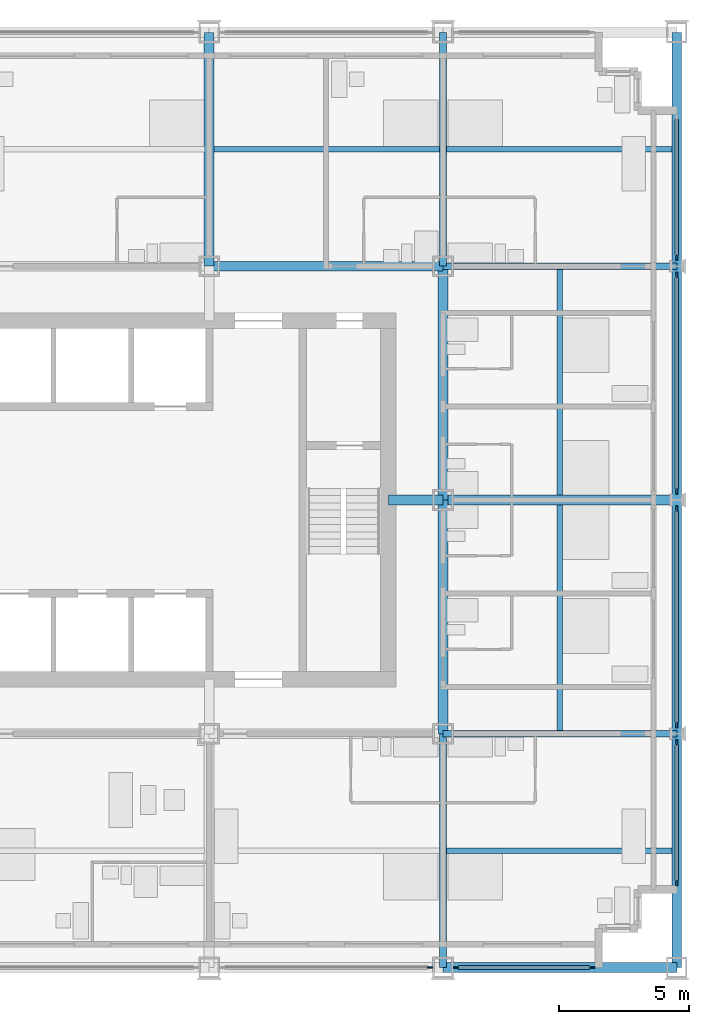
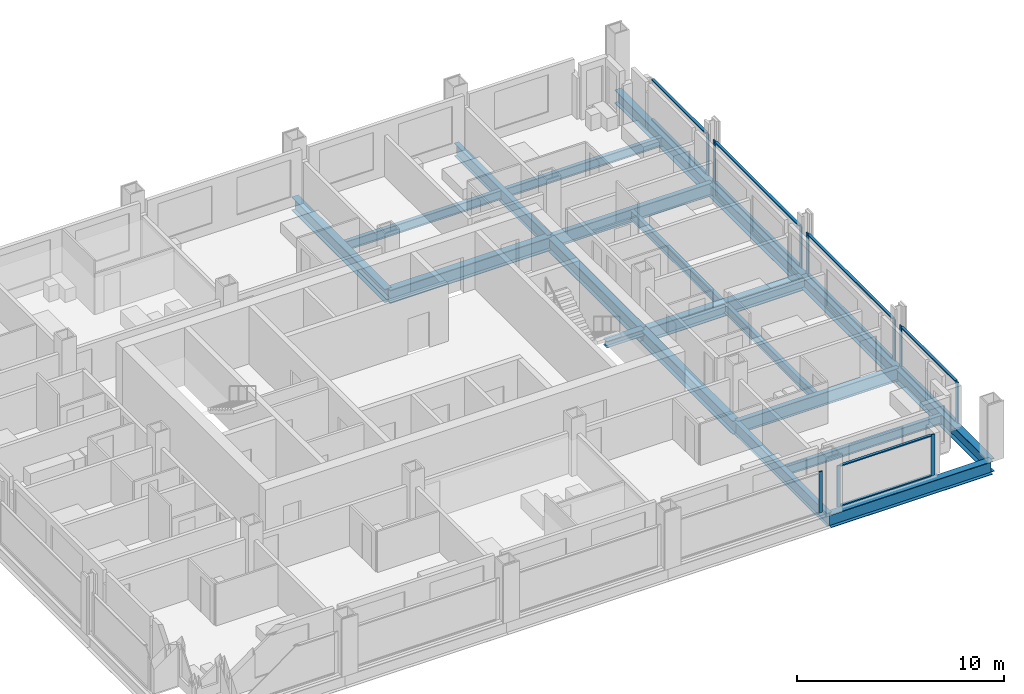
# One storey, part 5 of 16: 21 members, 19 beams, 6 elements without a shape of their own.
"""IFC4 building model written with IfcOpenShell, lengths in metres."""

from ifc_helpers import new_model, si_unit, direction, frame, origin, origin_2d, place, context, subcontext, project, spatial, rectangle, i_section, extrude, material, material_profile, profile_set, type_object, element, aggregate, save


model = new_model("IFC4")

# Units and contexts
model_context = context("Model", 3, precision=1e-05, world=origin(), true_north=direction((0.0, 1.0)))
body_context = subcontext(model_context, "Body", "Model", "MODEL_VIEW")
ifc_project = project(units=[si_unit("LENGTHUNIT", "METRE"), si_unit("AREAUNIT", "SQUARE_METRE"), si_unit("VOLUMEUNIT", "CUBIC_METRE"), si_unit("PLANEANGLEUNIT", "RADIAN"), si_unit("MASSUNIT", "GRAM", prefix="KILO")], contexts=[model_context])

# Site, building, storey
site_placement = place(None, origin())
site = spatial("IfcSite", under=ifc_project, at=site_placement, CompositionType="ELEMENT")
building_placement = place(site_placement, origin())
building = spatial("IfcBuilding", under=site, at=building_placement, Name="Loomwork Tower", CompositionType="ELEMENT")
storey_placement = place(building_placement, frame((0.0, 0.0, 114.60009765625)))
storey = spatial("IfcBuildingStorey", under=building, at=storey_placement, Name="L30", CompositionType="ELEMENT", Elevation=114.60009765625)

# Beams
ifc_material_1 = material(Name="Steel ASTM A992", Category="steel")
ifc_material_profile_1 = material_profile(ifc_material_1, i_section(OverallWidth=0.383544921875, OverallDepth=0.794921875, WebThickness=0.02099609375, FlangeThickness=0.0380859375, at=origin_2d()), Name="W30x235")
ifc_profile_set_1 = profile_set([ifc_material_profile_1], Name="Steel ASTM A992")
beam_type_1 = type_object("IfcBeamType", Name="CORE FLANK GIRDER W30x235", PredefinedType="BEAM", material=ifc_profile_set_1)
for number, where, z_axis, x_axis, name in (
    (1, (36.0, 18.0, -0.59765625), (1.0, 0.0, 0.0), (0.0, 1.0, 0.0), "Core Flank Girder F/6-F/7 L30"),
    (2, (27.0, 27.0, -0.59765625), (1.0, 0.0, 0.0), (0.0, 1.0, 0.0), "Core Flank Girder G/5-G/6 L30"),
    (3, (27.0, 27.0, -0.59765625), (0.0, 1.0, 0.0), (-1.0, 0.0, 0.0), "Core Flank Girder G/5-H/5 L30"),
    (4, (36.0, 9.0, -0.59765625), (0.0, 1.0, 0.0), (-1.0, 0.0, 0.0), "Core Flank Girder E/6-F/6 L30"),
    (5, (36.0, 18.0, -0.59765625), (0.0, 1.0, 0.0), (-1.0, 0.0, 0.0), "Core Flank Girder F/6-G/6 L30"),
):
    element("IfcBeam", number, at=place(storey_placement, frame(where, z_axis=z_axis, x_axis=x_axis)), inside=storey, type_object=beam_type_1, Name=name, PredefinedType="BEAM", context=body_context, shape_type="SweptSolid", body=[
        extrude(i_section(OverallWidth=0.383544921875, OverallDepth=0.794921875, WebThickness=0.02099609375, FlangeThickness=0.0380859375, at=origin_2d()), origin(), (0.0, 0.0, 1.0), 9.0),
    ])

# Member
ifc_material_2 = material(Name="Steel ASTM A992", Category="steel")
ifc_material_profile_2 = material_profile(ifc_material_2, i_section(OverallWidth=0.373291015625, OverallDepth=0.373291015625, WebThickness=0.016357421875, FlangeThickness=0.026123046875, at=origin_2d()), Name="W14x132")
ifc_profile_set_2 = profile_set([ifc_material_profile_2], Name="Steel ASTM A992")
member_type_1 = type_object("IfcMemberType", Name="CORE LINK STRUT W14x132", PredefinedType="STRUT", material=ifc_profile_set_2)
member_1_placement = place(storey_placement, frame((36.0, 18.0, -0.38671875), z_axis=(-1.0, 0.0, 0.0), x_axis=(0.0, -1.0, 0.0)))
element("IfcMember", 6, at=member_1_placement, inside=storey, type_object=member_type_1, Name="Core link strut F/6-33.900,18.000 L30", PredefinedType="STRUT", context=body_context, shape_type="SweptSolid", body=[
    extrude(i_section(OverallWidth=0.373291015625, OverallDepth=0.373291015625, WebThickness=0.016357421875, FlangeThickness=0.026123046875, at=origin_2d()), origin(), (0.0, 0.0, 1.0), 2.10009765625),
])

# Beams
ifc_material_3 = material(Name="Steel ASTM A992", Category="steel")
ifc_material_profile_3 = material_profile(ifc_material_3, i_section(OverallWidth=0.2666015625, OverallDepth=0.761962890625, WebThickness=0.014404296875, FlangeThickness=0.021484375, at=origin_2d()), Name="W30x116")
ifc_profile_set_3 = profile_set([ifc_material_profile_3], Name="Steel ASTM A992")
beam_type_2 = type_object("IfcBeamType", Name="FLOOR GIRDER W30x116", PredefinedType="BEAM", material=ifc_profile_set_3)
for number, where, z_axis, x_axis, name in (
    (7, (36.0, 9.0, -0.5810546875), (1.0, 0.0, 0.0), (0.0, 1.0, 0.0), "Floor Girder E/6-E/7 L30"),
    (8, (36.0, 27.0, -0.5810546875), (1.0, 0.0, 0.0), (0.0, 1.0, 0.0), "Floor Girder G/6-G/7 L30"),
    (9, (36.0, 0.0, -0.5810546875), (0.0, 1.0, 0.0), (-1.0, 0.0, 0.0), "Floor Girder D/6-E/6 L30"),
    (10, (36.0, 27.0, -0.5810546875), (0.0, 1.0, 0.0), (-1.0, 0.0, 0.0), "Floor Girder G/6-H/6 L30"),
):
    element("IfcBeam", number, at=place(storey_placement, frame(where, z_axis=z_axis, x_axis=x_axis)), inside=storey, type_object=beam_type_2, Name=name, PredefinedType="BEAM", context=body_context, shape_type="SweptSolid", body=[
        extrude(i_section(OverallWidth=0.2666015625, OverallDepth=0.761962890625, WebThickness=0.014404296875, FlangeThickness=0.021484375, at=origin_2d()), origin(), (0.0, 0.0, 1.0), 9.0),
    ])
ifc_material_4 = material(Name="Steel ASTM A992", Category="steel")
ifc_material_profile_4 = material_profile(ifc_material_4, i_section(OverallWidth=0.2109375, OverallDepth=0.53857421875, WebThickness=0.011474609375, FlangeThickness=0.018798828125, at=origin_2d()), Name="W21x73")
ifc_profile_set_4 = profile_set([ifc_material_profile_4], Name="Steel ASTM A992")
beam_type_3 = type_object("IfcBeamType", Name="FLOOR JOIST W21x73", PredefinedType="JOIST", material=ifc_profile_set_4)
beam_1_placement = place(storey_placement, frame((27.19091796875, 31.5, -0.46923828125), z_axis=(1.0, 0.0, 0.0), x_axis=(0.0, 1.0, 0.0)))
element("IfcBeam", 11, at=beam_1_placement, inside=storey, type_object=beam_type_3, Name="Floor Joist 27.000,31.500-36.000,31.500 L30", PredefinedType="JOIST", context=body_context, shape_type="SweptSolid", body=[
    extrude(i_section(OverallWidth=0.2109375, OverallDepth=0.53857421875, WebThickness=0.011474609375, FlangeThickness=0.018798828125, at=origin_2d()), origin(), (0.0, 0.0, 1.0), 8.676025390625),
])
beam_2_placement = place(storey_placement, frame((36.133056640625, 4.5, -0.46923828125), z_axis=(1.0, 0.0, 0.0), x_axis=(0.0, 1.0, 0.0)))
element("IfcBeam", 12, at=beam_2_placement, inside=storey, type_object=beam_type_3, Name="Floor Joist 36.000,4.500-45.000,4.500 L30", PredefinedType="JOIST", context=body_context, shape_type="SweptSolid", body=[
    extrude(i_section(OverallWidth=0.2109375, OverallDepth=0.53857421875, WebThickness=0.011474609375, FlangeThickness=0.018798828125, at=origin_2d()), origin(), (0.0, 0.0, 1.0), 8.677001953125),
])
for number, where, z_axis, x_axis, name in (
    (13, (40.5, 9.133056640625, -0.46923828125), (0.0, 1.0, 0.0), (-1.0, 0.0, 0.0), "Floor Joist 40.500,9.000-40.500,18.000 L30"),
    (14, (40.5, 18.19091796875, -0.46923828125), (0.0, 1.0, 0.0), (-1.0, 0.0, 0.0), "Floor Joist 40.500,18.000-40.500,27.000 L30"),
):
    element("IfcBeam", number, at=place(storey_placement, frame(where, z_axis=z_axis, x_axis=x_axis)), inside=storey, type_object=beam_type_3, Name=name, PredefinedType="JOIST", context=body_context, shape_type="SweptSolid", body=[
        extrude(i_section(OverallWidth=0.2109375, OverallDepth=0.53857421875, WebThickness=0.011474609375, FlangeThickness=0.018798828125, at=origin_2d()), origin(), (0.0, 0.0, 1.0), 8.676025390625),
    ])
beam_3_placement = place(storey_placement, frame((36.133056640625, 31.5, -0.46923828125), z_axis=(1.0, 0.0, 0.0), x_axis=(0.0, 1.0, 0.0)))
element("IfcBeam", 15, at=beam_3_placement, inside=storey, type_object=beam_type_3, Name="Floor Joist 36.000,31.500-45.000,31.500 L30", PredefinedType="JOIST", context=body_context, shape_type="SweptSolid", body=[
    extrude(i_section(OverallWidth=0.2109375, OverallDepth=0.53857421875, WebThickness=0.011474609375, FlangeThickness=0.018798828125, at=origin_2d()), origin(), (0.0, 0.0, 1.0), 8.677001953125),
])

# Curtain wall, member
ifc_material_5 = material(Name="Aluminium curtain wall frame", Category="aluminium")
curtain_wall_type = type_object("IfcCurtainWallType", Name="Outer skin glazing hotel", PredefinedType="NOTDEFINED", material=ifc_material_5)
curtain_wall_1_placement = place(storey_placement, origin())
curtain_wall_1 = element("IfcCurtainWall", 16, at=curtain_wall_1_placement, inside=storey, type_object=curtain_wall_type, Name="Outer skin glazing hotel cw/S-27", PredefinedType="NOTDEFINED")
ifc_material_6 = material(Name="Aluminium curtain wall frame", Category="aluminium")
ifc_material_profile_5 = material_profile(ifc_material_6, rectangle(XDim=0.06494140625, YDim=0.199951171875, at=origin_2d()), Name="AL 65x200")
ifc_profile_set_5 = profile_set([ifc_material_profile_5], Name="Aluminium curtain wall frame")
member_type_2 = type_object("IfcMemberType", Name="Outer skin glazing hotel mullion", PredefinedType="MULLION", material=ifc_profile_set_5)
member_2_placement = place(storey_placement, frame((35.5, 0.0, 0.0), z_axis=(0.0, 0.0, 1.0), x_axis=(0.0, 1.0, 0.0)))
member_2 = element("IfcMember", 17, at=member_2_placement, type_object=member_type_2, Name="CW1 mullion 2", PredefinedType="MULLION", context=body_context, shape_type="SweptSolid", body=[
    extrude(rectangle(XDim=0.06494140625, YDim=0.199951171875, at=origin_2d()), origin(), (0.0, 0.0, 1.0), 2.420166015625),
])
aggregate(curtain_wall_1, [member_2])

# Curtain wall, members
curtain_wall_2_placement = place(storey_placement, origin())
curtain_wall_2 = element("IfcCurtainWall", 18, at=curtain_wall_2_placement, inside=storey, type_object=curtain_wall_type, Name="Outer skin glazing hotel cw/S-36", PredefinedType="NOTDEFINED")
member_3_placement = place(storey_placement, frame((36.5, 0.0, 0.0), z_axis=(0.0, 0.0, 1.0), x_axis=(0.0, 1.0, 0.0)))
member_3 = element("IfcMember", 19, at=member_3_placement, type_object=member_type_2, Name="CW1 mullion 1", PredefinedType="MULLION", context=body_context, shape_type="SweptSolid", body=[
    extrude(rectangle(XDim=0.06494140625, YDim=0.199951171875, at=origin_2d()), origin(), (0.0, 0.0, 1.0), 2.420166015625),
])
member_4_placement = place(storey_placement, frame((41.75, 0.0, 0.0), z_axis=(0.0, 0.0, 1.0), x_axis=(0.0, 1.0, 0.0)))
member_4 = element("IfcMember", 20, at=member_4_placement, type_object=member_type_2, Name="CW1 mullion 2", PredefinedType="MULLION", context=body_context, shape_type="SweptSolid", body=[
    extrude(rectangle(XDim=0.06494140625, YDim=0.199951171875, at=origin_2d()), origin(), (0.0, 0.0, 1.0), 2.420166015625),
])

curtain_wall_3_placement = place(storey_placement, origin())
curtain_wall_3 = element("IfcCurtainWall", 21, at=curtain_wall_3_placement, inside=storey, type_object=curtain_wall_type, Name="Outer skin glazing hotel cw/E-0", PredefinedType="NOTDEFINED")
member_5_placement = place(storey_placement, frame((45.0, 3.25, 0.0), z_axis=(0.0, 0.0, 1.0), x_axis=(-1.0, 0.0, 0.0)))
member_5 = element("IfcMember", 22, at=member_5_placement, type_object=member_type_2, Name="CW1 mullion 1", PredefinedType="MULLION", context=body_context, shape_type="SweptSolid", body=[
    extrude(rectangle(XDim=0.06494140625, YDim=0.199951171875, at=origin_2d()), origin(), (0.0, 0.0, 1.0), 2.420166015625),
])
member_6_placement = place(storey_placement, frame((45.0, 8.67529296875, 0.0), z_axis=(0.0, 0.0, 1.0), x_axis=(-1.0, 0.0, 0.0)))
member_6 = element("IfcMember", 23, at=member_6_placement, type_object=member_type_2, Name="CW1 mullion 2", PredefinedType="MULLION", context=body_context, shape_type="SweptSolid", body=[
    extrude(rectangle(XDim=0.06494140625, YDim=0.199951171875, at=origin_2d()), origin(), (0.0, 0.0, 1.0), 2.420166015625),
])

curtain_wall_4_placement = place(storey_placement, origin())
curtain_wall_4 = element("IfcCurtainWall", 24, at=curtain_wall_4_placement, inside=storey, type_object=curtain_wall_type, Name="Outer skin glazing hotel cw/E-9", PredefinedType="NOTDEFINED")
member_7_placement = place(storey_placement, frame((45.0, 9.32470703125, 0.0), z_axis=(0.0, 0.0, 1.0), x_axis=(-1.0, 0.0, 0.0)))
member_7 = element("IfcMember", 25, at=member_7_placement, type_object=member_type_2, Name="CW1 mullion 1", PredefinedType="MULLION", context=body_context, shape_type="SweptSolid", body=[
    extrude(rectangle(XDim=0.06494140625, YDim=0.199951171875, at=origin_2d()), origin(), (0.0, 0.0, 1.0), 2.420166015625),
])
member_8_placement = place(storey_placement, frame((45.0, 17.67529296875, 0.0), z_axis=(0.0, 0.0, 1.0), x_axis=(-1.0, 0.0, 0.0)))
member_8 = element("IfcMember", 26, at=member_8_placement, type_object=member_type_2, Name="CW1 mullion 2", PredefinedType="MULLION", context=body_context, shape_type="SweptSolid", body=[
    extrude(rectangle(XDim=0.06494140625, YDim=0.199951171875, at=origin_2d()), origin(), (0.0, 0.0, 1.0), 2.420166015625),
])

curtain_wall_5_placement = place(storey_placement, origin())
curtain_wall_5 = element("IfcCurtainWall", 27, at=curtain_wall_5_placement, inside=storey, type_object=curtain_wall_type, Name="Outer skin glazing hotel cw/E-18", PredefinedType="NOTDEFINED")
member_9_placement = place(storey_placement, frame((45.0, 18.32470703125, 0.0), z_axis=(0.0, 0.0, 1.0), x_axis=(-1.0, 0.0, 0.0)))
member_9 = element("IfcMember", 28, at=member_9_placement, type_object=member_type_2, Name="CW1 mullion 1", PredefinedType="MULLION", context=body_context, shape_type="SweptSolid", body=[
    extrude(rectangle(XDim=0.06494140625, YDim=0.199951171875, at=origin_2d()), origin(), (0.0, 0.0, 1.0), 2.420166015625),
])
member_10_placement = place(storey_placement, frame((45.0, 26.67529296875, 0.0), z_axis=(0.0, 0.0, 1.0), x_axis=(-1.0, 0.0, 0.0)))
member_10 = element("IfcMember", 29, at=member_10_placement, type_object=member_type_2, Name="CW1 mullion 2", PredefinedType="MULLION", context=body_context, shape_type="SweptSolid", body=[
    extrude(rectangle(XDim=0.06494140625, YDim=0.199951171875, at=origin_2d()), origin(), (0.0, 0.0, 1.0), 2.420166015625),
])

# Curtain wall, member
curtain_wall_6_placement = place(storey_placement, origin())
curtain_wall_6 = element("IfcCurtainWall", 30, at=curtain_wall_6_placement, inside=storey, type_object=curtain_wall_type, Name="Outer skin glazing hotel cw/E-27", PredefinedType="NOTDEFINED")
member_11_placement = place(storey_placement, frame((45.0, 27.32470703125, 0.0), z_axis=(0.0, 0.0, 1.0), x_axis=(-1.0, 0.0, 0.0)))
member_11 = element("IfcMember", 31, at=member_11_placement, type_object=member_type_2, Name="CW1 mullion 1", PredefinedType="MULLION", context=body_context, shape_type="SweptSolid", body=[
    extrude(rectangle(XDim=0.06494140625, YDim=0.199951171875, at=origin_2d()), origin(), (0.0, 0.0, 1.0), 2.420166015625),
])

# Member
ifc_material_7 = material(Name="Aluminium curtain wall frame", Category="aluminium")
ifc_material_profile_6 = material_profile(ifc_material_7, rectangle(XDim=0.14990234375, YDim=0.06494140625, at=origin_2d()), Name="AL 65x150")
ifc_profile_set_6 = profile_set([ifc_material_profile_6], Name="Aluminium curtain wall frame")
member_type_3 = type_object("IfcMemberType", Name="Outer skin glazing hotel transom", PredefinedType="USERDEFINED", material=ifc_profile_set_6)
member_12_placement = place(storey_placement, frame((36.60009765625, 0.0, 0.032470703125), z_axis=(1.0, 0.0, 0.0), x_axis=(0.0, 1.0, 0.0)))
member_12 = element("IfcMember", 32, at=member_12_placement, type_object=member_type_3, Name="CW1 transom 1.1", ObjectType="TRANSOM", PredefinedType="USERDEFINED", context=body_context, shape_type="SweptSolid", body=[
    extrude(rectangle(XDim=0.14990234375, YDim=0.06494140625, at=origin_2d()), origin(), (0.0, 0.0, 1.0), 5.0498046875),
])

member_13_placement = place(storey_placement, frame((36.60009765625, 0.0, 2.3876953125), z_axis=(1.0, 0.0, 0.0), x_axis=(0.0, 1.0, 0.0)))
member_13 = element("IfcMember", 33, at=member_13_placement, type_object=member_type_3, Name="CW1 transom 1.2", ObjectType="TRANSOM", PredefinedType="USERDEFINED", context=body_context, shape_type="SweptSolid", body=[
    extrude(rectangle(XDim=0.14990234375, YDim=0.06494140625, at=origin_2d()), origin(), (0.0, 0.0, 1.0), 5.0498046875),
])

aggregate(curtain_wall_2, [member_3, member_4, member_12, member_13])

member_14_placement = place(storey_placement, frame((45.0, 3.35009765625, 0.032470703125), z_axis=(0.0, 1.0, 0.0), x_axis=(-1.0, 0.0, 0.0)))
member_14 = element("IfcMember", 34, at=member_14_placement, type_object=member_type_3, Name="CW1 transom 1.1", ObjectType="TRANSOM", PredefinedType="USERDEFINED", context=body_context, shape_type="SweptSolid", body=[
    extrude(rectangle(XDim=0.14990234375, YDim=0.06494140625, at=origin_2d()), origin(), (0.0, 0.0, 1.0), 5.22509765625),
])

member_15_placement = place(storey_placement, frame((45.0, 3.35009765625, 2.3876953125), z_axis=(0.0, 1.0, 0.0), x_axis=(-1.0, 0.0, 0.0)))
member_15 = element("IfcMember", 35, at=member_15_placement, type_object=member_type_3, Name="CW1 transom 1.2", ObjectType="TRANSOM", PredefinedType="USERDEFINED", context=body_context, shape_type="SweptSolid", body=[
    extrude(rectangle(XDim=0.14990234375, YDim=0.06494140625, at=origin_2d()), origin(), (0.0, 0.0, 1.0), 5.22509765625),
])

aggregate(curtain_wall_3, [member_5, member_6, member_14, member_15])

member_16_placement = place(storey_placement, frame((45.0, 9.4248046875, 0.032470703125), z_axis=(0.0, 1.0, 0.0), x_axis=(-1.0, 0.0, 0.0)))
member_16 = element("IfcMember", 36, at=member_16_placement, type_object=member_type_3, Name="CW1 transom 1.1", ObjectType="TRANSOM", PredefinedType="USERDEFINED", context=body_context, shape_type="SweptSolid", body=[
    extrude(rectangle(XDim=0.14990234375, YDim=0.06494140625, at=origin_2d()), origin(), (0.0, 0.0, 1.0), 8.150390625),
])

member_17_placement = place(storey_placement, frame((45.0, 9.4248046875, 2.3876953125), z_axis=(0.0, 1.0, 0.0), x_axis=(-1.0, 0.0, 0.0)))
member_17 = element("IfcMember", 37, at=member_17_placement, type_object=member_type_3, Name="CW1 transom 1.2", ObjectType="TRANSOM", PredefinedType="USERDEFINED", context=body_context, shape_type="SweptSolid", body=[
    extrude(rectangle(XDim=0.14990234375, YDim=0.06494140625, at=origin_2d()), origin(), (0.0, 0.0, 1.0), 8.150390625),
])

aggregate(curtain_wall_4, [member_7, member_8, member_16, member_17])

member_18_placement = place(storey_placement, frame((45.0, 18.4248046875, 0.032470703125), z_axis=(0.0, 1.0, 0.0), x_axis=(-1.0, 0.0, 0.0)))
member_18 = element("IfcMember", 38, at=member_18_placement, type_object=member_type_3, Name="CW1 transom 1.1", ObjectType="TRANSOM", PredefinedType="USERDEFINED", context=body_context, shape_type="SweptSolid", body=[
    extrude(rectangle(XDim=0.14990234375, YDim=0.06494140625, at=origin_2d()), origin(), (0.0, 0.0, 1.0), 8.150390625),
])

member_19_placement = place(storey_placement, frame((45.0, 18.4248046875, 2.3876953125), z_axis=(0.0, 1.0, 0.0), x_axis=(-1.0, 0.0, 0.0)))
member_19 = element("IfcMember", 39, at=member_19_placement, type_object=member_type_3, Name="CW1 transom 1.2", ObjectType="TRANSOM", PredefinedType="USERDEFINED", context=body_context, shape_type="SweptSolid", body=[
    extrude(rectangle(XDim=0.14990234375, YDim=0.06494140625, at=origin_2d()), origin(), (0.0, 0.0, 1.0), 8.150390625),
])

aggregate(curtain_wall_5, [member_9, member_10, member_18, member_19])

member_20_placement = place(storey_placement, frame((45.0, 27.4248046875, 0.032470703125), z_axis=(0.0, 1.0, 0.0), x_axis=(-1.0, 0.0, 0.0)))
member_20 = element("IfcMember", 40, at=member_20_placement, type_object=member_type_3, Name="CW1 transom 1.1", ObjectType="TRANSOM", PredefinedType="USERDEFINED", context=body_context, shape_type="SweptSolid", body=[
    extrude(rectangle(XDim=0.14990234375, YDim=0.06494140625, at=origin_2d()), origin(), (0.0, 0.0, 1.0), 5.22509765625),
])

member_21_placement = place(storey_placement, frame((45.0, 27.4248046875, 2.3876953125), z_axis=(0.0, 1.0, 0.0), x_axis=(-1.0, 0.0, 0.0)))
member_21 = element("IfcMember", 41, at=member_21_placement, type_object=member_type_3, Name="CW1 transom 1.2", ObjectType="TRANSOM", PredefinedType="USERDEFINED", context=body_context, shape_type="SweptSolid", body=[
    extrude(rectangle(XDim=0.14990234375, YDim=0.06494140625, at=origin_2d()), origin(), (0.0, 0.0, 1.0), 5.22509765625),
])

aggregate(curtain_wall_6, [member_11, member_20, member_21])

# Beams
ifc_material_8 = material(Name="Steel ASTM A992", Category="steel")
ifc_material_profile_7 = material_profile(ifc_material_8, i_section(OverallWidth=0.381103515625, OverallDepth=0.77978515625, WebThickness=0.01806640625, FlangeThickness=0.0302734375, at=origin_2d()), Name="W30x191")
ifc_profile_set_7 = profile_set([ifc_material_profile_7], Name="Steel ASTM A992")
beam_type_4 = type_object("IfcBeamType", Name="SPANDREL GIRDER W30x191", PredefinedType="SPANDREL", material=ifc_profile_set_7)
for number, where, z_axis, x_axis, name in (
    (42, (36.0, 0.0, -0.590087890625), (1.0, 0.0, 0.0), (0.0, 1.0, 0.0), "Spandrel Girder D/6-D/7 L30"),
    (43, (45.0, 0.0, -0.590087890625), (0.0, 1.0, 0.0), (-1.0, 0.0, 0.0), "Spandrel Girder D/7-E/7 L30"),
    (44, (45.0, 9.0, -0.590087890625), (0.0, 1.0, 0.0), (-1.0, 0.0, 0.0), "Spandrel Girder E/7-F/7 L30"),
    (45, (45.0, 18.0, -0.590087890625), (0.0, 1.0, 0.0), (-1.0, 0.0, 0.0), "Spandrel Girder F/7-G/7 L30"),
    (46, (45.0, 27.0, -0.590087890625), (0.0, 1.0, 0.0), (-1.0, 0.0, 0.0), "Spandrel Girder G/7-H/7 L30"),
):
    element("IfcBeam", number, at=place(storey_placement, frame(where, z_axis=z_axis, x_axis=x_axis)), inside=storey, type_object=beam_type_4, Name=name, PredefinedType="SPANDREL", context=body_context, shape_type="SweptSolid", body=[
        extrude(i_section(OverallWidth=0.381103515625, OverallDepth=0.77978515625, WebThickness=0.01806640625, FlangeThickness=0.0302734375, at=origin_2d()), origin(), (0.0, 0.0, 1.0), 9.0),
    ])

save(model, "model.ifc")
